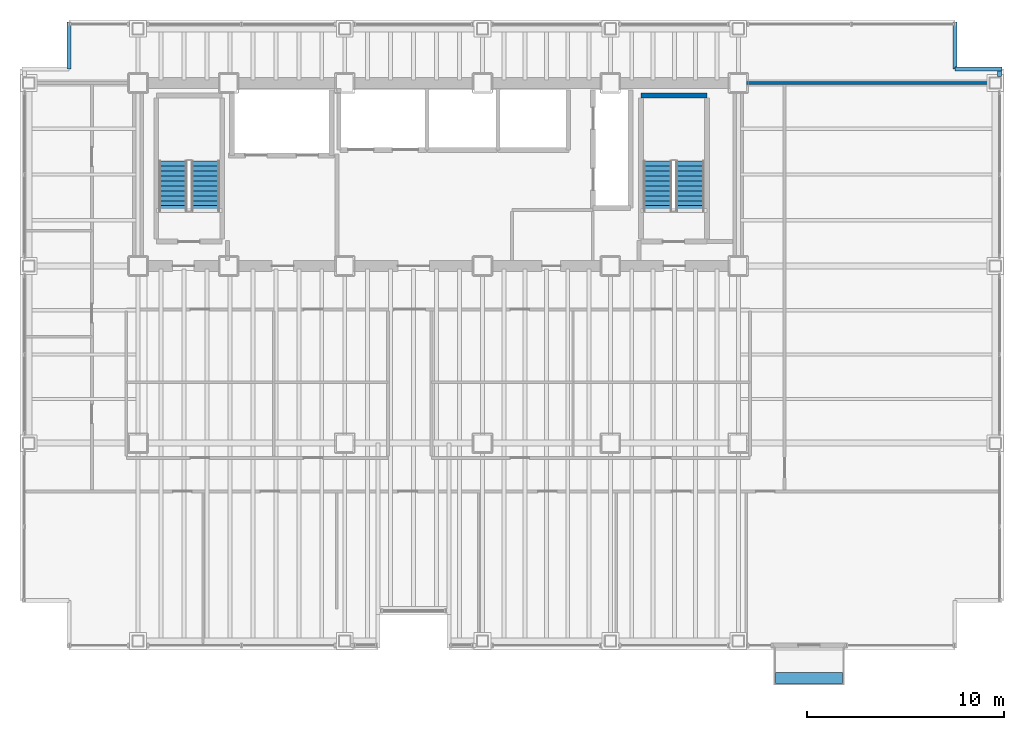
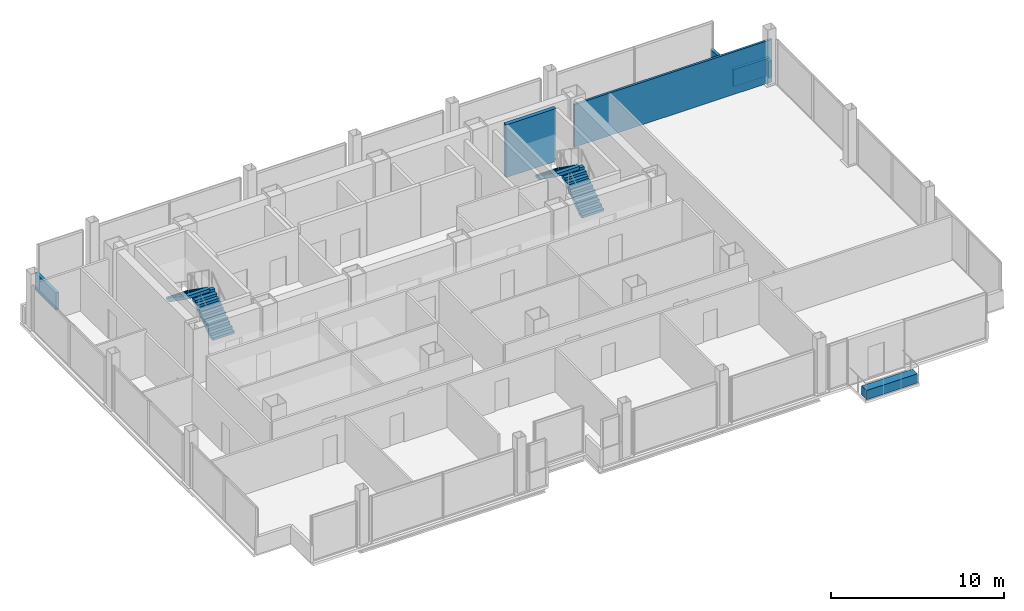
# One storey, part 20 of 22: 6 walls, 4 stair flights, 1 discrete accessory, 2 elements without a shape of their own.
"""IFC4 building model written with IfcOpenShell, lengths in metres."""

from ifc_helpers import new_model, si_unit, direction, frame, frame_2d, origin, origin_2d, place, context, subcontext, project, spatial, polyline, rectangle, outline, extrude, material, layer, layer_set, type_object, element, aggregate, save


model = new_model("IFC4")

# Units and contexts
model_context = context("Model", 3, precision=1e-05, world=origin(), true_north=direction((0.0, 1.0)))
body_context = subcontext(model_context, "Body", "Model", "MODEL_VIEW")
ifc_project = project(units=[si_unit("LENGTHUNIT", "METRE"), si_unit("AREAUNIT", "SQUARE_METRE"), si_unit("VOLUMEUNIT", "CUBIC_METRE"), si_unit("PLANEANGLEUNIT", "RADIAN"), si_unit("MASSUNIT", "GRAM", prefix="KILO")], contexts=[model_context])

# Site, building, storey
site_placement = place(None, origin())
site = spatial("IfcSite", under=ifc_project, at=site_placement, CompositionType="ELEMENT")
building_placement = place(site_placement, origin())
building = spatial("IfcBuilding", under=site, at=building_placement, Name="Noeulbin Bourse Tower", CompositionType="ELEMENT")
storey_placement = place(building_placement, frame((0.0, 0.0, 88.89990234375)))
storey = spatial("IfcBuildingStorey", under=building, at=storey_placement, Name="L22", CompositionType="ELEMENT", Elevation=88.89990234375)

# Walls
ifc_material_1 = material(Name="Concrete C40/50", Category="concrete")
ifc_layer_1 = layer(ifc_material_1, 0.199951171875)
ifc_layer_set_1 = layer_set([ifc_layer_1], Name="Concrete C40/50")
wall_type_1 = type_object("IfcWallType", Name="WAL-PAR-200", PredefinedType="PARAPET", material=ifc_layer_set_1)
wall_1_placement = place(storey_placement, frame((57.280029296875, 38.6201171875, 0.0), z_axis=(0.0, 0.0, 1.0), x_axis=(0.0, 1.0, 0.0)))
element("IfcWall", 1, at=wall_1_placement, inside=storey, type_object=wall_type_1, Name="Perimeter Pier Spandrel Parapet L22-E2", PredefinedType="PARAPET", context=body_context, shape_type="SweptSolid", body=[
    extrude(rectangle(XDim=0.27978515625, YDim=0.199951171875, at=frame_2d((0.139892578125, 0.0))), origin(), (0.0, 0.0, 1.0), 1.2001953125),
])
for number, where, z_axis, x_axis, name in (
    (2, (10.0, 39.0, 0.0), (0.0, 0.0, 1.0), (0.0, 1.0, 0.0), "Corner Notch Parapet L22-NW2"),
    (3, (55.0, 41.39990234375, 0.0), (0.0, 0.0, 1.0), (0.0, -1.0, 0.0), "Corner Notch Parapet L22-NE1"),
    (4, (55.0, 39.0, 0.0), (0.0, 0.0, 1.0), (1.0, 0.0, 0.0), "Corner Notch Parapet L22-NE2"),
):
    element("IfcWall", number, at=place(storey_placement, frame(where, z_axis=z_axis, x_axis=x_axis)), inside=storey, type_object=wall_type_1, Name=name, PredefinedType="PARAPET", context=body_context, shape_type="SweptSolid", body=[
        extrude(rectangle(XDim=2.39990234375, YDim=0.199951171875, at=frame_2d((1.199951171875, 0.0))), origin(), (0.0, 0.0, 1.0), 1.2001953125),
    ])
ifc_material_2 = material(Name="Steel Stud Acoustic Gypsum Board", Category="steel")
ifc_layer_2 = layer(ifc_material_2, 0.14990234375)
ifc_layer_set_2 = layer_set([ifc_layer_2], Name="Steel Stud Acoustic Gypsum Board")
wall_type_2 = type_object("IfcWallType", Name="WAL-PRT-150", PredefinedType="PARTITIONING", material=ifc_layer_set_2)
wall_2_placement = place(storey_placement, frame((44.0, 38.300048828125, 0.0), z_axis=(0.0, 0.0, 1.0), x_axis=(1.0, 0.0, 0.0)))
element("IfcWall", 5, at=wall_2_placement, inside=storey, type_object=wall_type_2, Name="Interior Partition Wall L22-08", PredefinedType="PARTITIONING", context=body_context, shape_type="SweptSolid", body=[
    extrude(rectangle(XDim=13.18994140625, YDim=0.14990234375, at=frame_2d((6.594970703125, 0.0))), origin(), (0.0, 0.0, 1.0), 3.0),
])
ifc_layer_3 = layer(ifc_material_1, 0.25)
ifc_layer_set_3 = layer_set([ifc_layer_3], Name="Concrete C40/50")
wall_type_3 = type_object("IfcWallType", Name="WAL-SHFT-250", PredefinedType="STANDARD", material=ifc_layer_set_3)
wall_3_placement = place(storey_placement, frame((39.06005859375, 37.6689453125, 0.0), z_axis=(0.0, 0.0, 1.0), x_axis=(1.0, 0.0, 0.0)))
element("IfcWall", 6, at=wall_3_placement, inside=storey, type_object=wall_type_3, Name="Stair ST-2 North Shaft Wall L22", PredefinedType="STANDARD", context=body_context, shape_type="SweptSolid", body=[
    extrude(rectangle(XDim=3.33984375, YDim=0.25, at=frame_2d((1.669921875, 0.0))), origin(), (0.0, 0.0, 1.0), 3.72021484375),
])

# Stair, stair flights
stair_type = type_object("IfcStairType", Name="STR-CORE-1560", PredefinedType="HALF_TURN_STAIR", material=ifc_material_1)
stair_1_placement = place(storey_placement, origin())
stair_1 = element("IfcStair", 7, at=stair_1_placement, inside=storey, type_object=stair_type, Name="L22 ST-1", PredefinedType="HALF_TURN_STAIR")
stair_flight_type = type_object("IfcStairFlightType", Name="SFL-CORE-1560", PredefinedType="STRAIGHT", material=ifc_material_1)
stair_flight_1_placement = place(storey_placement, frame((16.925048828125, 31.81005859375, 0.0), z_axis=(0.0, 0.0, 1.0), x_axis=(0.0, 1.0, 0.0)))
stair_flight_1 = element("IfcStairFlight", 8, at=stair_flight_1_placement, type_object=stair_flight_type, Name="ST-1 flight 1", NumberOfRisers=11, NumberOfTreads=10, PredefinedType="STRAIGHT", RiserHeight=0.177272727, TreadLength=0.252, context=body_context, shape_type="SweptSolid", body=[
    extrude(outline(polyline([(0.0, 0.0), (0.0, 0.17724609375), (0.251953125, 0.17724609375), (0.251953125, 0.3544921875), (0.50390625, 0.3544921875), (0.50390625, 0.53173828125), (0.756103515625, 0.53173828125), (0.756103515625, 0.708984375), (1.008056640625, 0.708984375), (1.008056640625, 0.886474609375), (1.260009765625, 0.886474609375), (1.260009765625, 1.063720703125), (1.511962890625, 1.063720703125), (1.511962890625, 1.240966796875), (1.763916015625, 1.240966796875), (1.763916015625, 1.418212890625), (2.01611328125, 1.418212890625), (2.01611328125, 1.595458984375), (2.26806640625, 1.595458984375), (2.26806640625, 1.772705078125), (2.52001953125, 1.772705078125), (2.52001953125, 1.949951171875), (2.52001953125, 1.552734375), (0.312744140625, 0.0), (0.0, 0.0)])), frame((0.0, 0.72509765625, 0.0), z_axis=(0.0, -1.0, 0.0), x_axis=(1.0, 0.0, 0.0)), (0.0, 0.0, 1.0), 1.449951171875),
])
stair_flight_2_placement = place(storey_placement, frame((15.27490234375, 34.330078125, 1.9501953125), z_axis=(0.0, 0.0, 1.0), x_axis=(0.0, -1.0, 0.0)))
stair_flight_2 = element("IfcStairFlight", 9, at=stair_flight_2_placement, type_object=stair_flight_type, Name="ST-1 flight 2", NumberOfRisers=11, NumberOfTreads=10, PredefinedType="STRAIGHT", RiserHeight=0.177272727, TreadLength=0.252, context=body_context, shape_type="SweptSolid", body=[
    extrude(outline(polyline([(0.0, 0.0), (0.0, 0.17724609375), (0.251953125, 0.17724609375), (0.251953125, 0.3544921875), (0.50390625, 0.3544921875), (0.50390625, 0.53173828125), (0.756103515625, 0.53173828125), (0.756103515625, 0.708984375), (1.008056640625, 0.708984375), (1.008056640625, 0.886474609375), (1.260009765625, 0.886474609375), (1.260009765625, 1.063720703125), (1.511962890625, 1.063720703125), (1.511962890625, 1.240966796875), (1.763916015625, 1.240966796875), (1.763916015625, 1.418212890625), (2.01611328125, 1.418212890625), (2.01611328125, 1.595458984375), (2.26806640625, 1.595458984375), (2.26806640625, 1.772705078125), (2.52001953125, 1.772705078125), (2.52001953125, 1.949951171875), (2.52001953125, 1.552734375), (0.312744140625, 0.0), (0.0, 0.0)])), frame((0.0, 0.72509765625, 0.0), z_axis=(0.0, -1.0, 0.0), x_axis=(1.0, 0.0, 0.0)), (0.0, 0.0, 1.0), 1.449951171875),
])
aggregate(stair_1, [stair_flight_1, stair_flight_2])

stair_2_placement = place(storey_placement, origin())
stair_2 = element("IfcStair", 10, at=stair_2_placement, inside=storey, type_object=stair_type, Name="L22 ST-2", PredefinedType="HALF_TURN_STAIR")
stair_flight_3_placement = place(storey_placement, frame((41.554931640625, 31.81005859375, 0.0), z_axis=(0.0, 0.0, 1.0), x_axis=(0.0, 1.0, 0.0)))
stair_flight_3 = element("IfcStairFlight", 11, at=stair_flight_3_placement, type_object=stair_flight_type, Name="ST-2 flight 1", NumberOfRisers=11, NumberOfTreads=10, PredefinedType="STRAIGHT", RiserHeight=0.177272727, TreadLength=0.252, context=body_context, shape_type="SweptSolid", body=[
    extrude(outline(polyline([(0.0, 0.0), (0.0, 0.17724609375), (0.251953125, 0.17724609375), (0.251953125, 0.3544921875), (0.50390625, 0.3544921875), (0.50390625, 0.53173828125), (0.756103515625, 0.53173828125), (0.756103515625, 0.708984375), (1.008056640625, 0.708984375), (1.008056640625, 0.886474609375), (1.260009765625, 0.886474609375), (1.260009765625, 1.063720703125), (1.511962890625, 1.063720703125), (1.511962890625, 1.240966796875), (1.763916015625, 1.240966796875), (1.763916015625, 1.418212890625), (2.01611328125, 1.418212890625), (2.01611328125, 1.595458984375), (2.26806640625, 1.595458984375), (2.26806640625, 1.772705078125), (2.52001953125, 1.772705078125), (2.52001953125, 1.949951171875), (2.52001953125, 1.552734375), (0.312744140625, 0.0), (0.0, 0.0)])), frame((0.0, 0.72509765625, 0.0), z_axis=(0.0, -1.0, 0.0), x_axis=(1.0, 0.0, 0.0)), (0.0, 0.0, 1.0), 1.449951171875),
])
stair_flight_4_placement = place(storey_placement, frame((39.905029296875, 34.330078125, 1.9501953125), z_axis=(0.0, 0.0, 1.0), x_axis=(0.0, -1.0, 0.0)))
stair_flight_4 = element("IfcStairFlight", 12, at=stair_flight_4_placement, type_object=stair_flight_type, Name="ST-2 flight 2", NumberOfRisers=11, NumberOfTreads=10, PredefinedType="STRAIGHT", RiserHeight=0.177272727, TreadLength=0.252, context=body_context, shape_type="SweptSolid", body=[
    extrude(outline(polyline([(0.0, 0.0), (0.0, 0.17724609375), (0.251953125, 0.17724609375), (0.251953125, 0.3544921875), (0.50390625, 0.3544921875), (0.50390625, 0.53173828125), (0.756103515625, 0.53173828125), (0.756103515625, 0.708984375), (1.008056640625, 0.708984375), (1.008056640625, 0.886474609375), (1.260009765625, 0.886474609375), (1.260009765625, 1.063720703125), (1.511962890625, 1.063720703125), (1.511962890625, 1.240966796875), (1.763916015625, 1.240966796875), (1.763916015625, 1.418212890625), (2.01611328125, 1.418212890625), (2.01611328125, 1.595458984375), (2.26806640625, 1.595458984375), (2.26806640625, 1.772705078125), (2.52001953125, 1.772705078125), (2.52001953125, 1.949951171875), (2.52001953125, 1.552734375), (0.312744140625, 0.0), (0.0, 0.0)])), frame((0.0, 0.72509765625, 0.0), z_axis=(0.0, -1.0, 0.0), x_axis=(1.0, 0.0, 0.0)), (0.0, 0.0, 1.0), 1.449951171875),
])
aggregate(stair_2, [stair_flight_3, stair_flight_4])

# Discrete accessory
ifc_material_3 = material(Name="Architectural GFRC Concrete C40/50", Category="concrete")
ifc_layer_4 = layer(ifc_material_3, 0.64990234375)
ifc_layer_set_4 = layer_set([ifc_layer_4], Name="Architectural GFRC Concrete C40/50")
discrete_accessory_type = type_object("IfcDiscreteAccessoryType", Name="PLANTER-BOX-3600", PredefinedType="USERDEFINED", material=ifc_layer_set_4)
discrete_accessory_placement = place(storey_placement, frame((47.60009765625, 8.06005859375, 0.000244140625), z_axis=(0.0, 0.0, 1.0), x_axis=(1.0, 0.0, 0.0)))
element("IfcDiscreteAccessory", 13, at=discrete_accessory_placement, inside=storey, type_object=discrete_accessory_type, Name="Integrated Balcony Tree Planter Box L22", ObjectType="PLANTER", PredefinedType="USERDEFINED", context=body_context, shape_type="SweptSolid", body=[
    extrude(rectangle(XDim=3.39990234375, YDim=0.550048828125, at=origin_2d()), origin(), (0.0, 0.0, 1.0), 0.64990234375),
])

save(model, "model.ifc")
